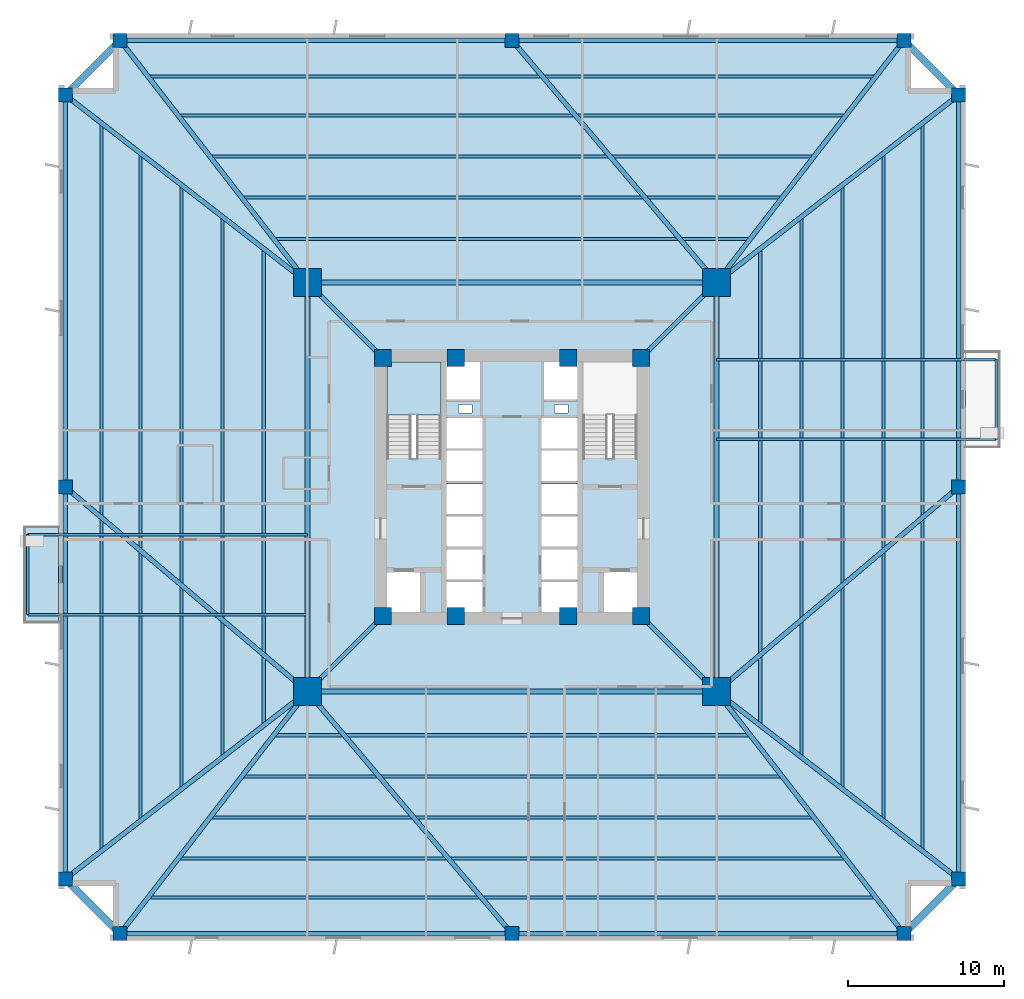
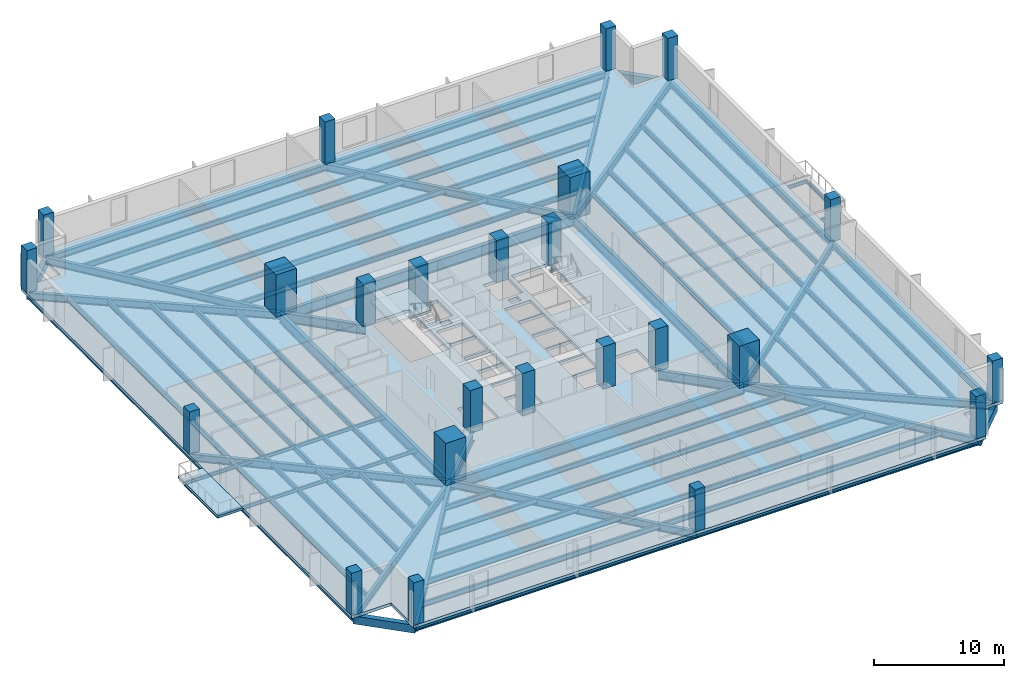
# One storey, part 1 of 9: 58 beams, 24 columns, 3 slabs, 1 element without a shape of its own.
"""IFC4 building model written with IfcOpenShell, lengths in metres."""

from ifc_helpers import new_model, si_unit, direction, frame, origin, origin_2d, place, context, subcontext, project, spatial, polyline, rectangle, i_section, outline, extrude, source, transform, mapped, material, layer, layer_set, material_profile, profile_set, type_object, element, aggregate, save


model = new_model("IFC4")

# Units and contexts
model_context = context("Model", 3, precision=1e-05, world=origin(), true_north=direction((0.0, 1.0)))
body_context = subcontext(model_context, "Body", "Model", "MODEL_VIEW")
ifc_project = project(units=[si_unit("LENGTHUNIT", "METRE"), si_unit("AREAUNIT", "SQUARE_METRE"), si_unit("VOLUMEUNIT", "CUBIC_METRE"), si_unit("PLANEANGLEUNIT", "RADIAN"), si_unit("MASSUNIT", "GRAM", prefix="KILO"), si_unit("THERMODYNAMICTEMPERATUREUNIT", "KELVIN")], contexts=[model_context])

# Site, building, storey
site_placement = place(None, origin())
site = spatial("IfcSite", under=ifc_project, at=site_placement, CompositionType="ELEMENT")
building_placement = place(site_placement, origin())
building = spatial("IfcBuilding", under=site, at=building_placement, Name="Kosmvard Interchange Tower", CompositionType="ELEMENT")
storey_placement = place(building_placement, frame((0.0, 0.0, 70.0)))
storey = spatial("IfcBuildingStorey", under=building, at=storey_placement, Name="L16", CompositionType="ELEMENT", Elevation=70.0)

# Columns
ifc_material_1 = material(Name="Concrete C80/95", Category="concrete")
ifc_material_profile_1 = material_profile(ifc_material_1, rectangle(XDim=1.10009765625, YDim=1.10009765625, at=origin_2d()), Name="CP 1100x1100")
ifc_profile_set_1 = profile_set([ifc_material_profile_1], Name="Concrete C80/95")
column_type_1 = type_object("IfcColumnType", Name="Core Boundary Pilaster 1100x1100 C80/95", PredefinedType="PILASTER", material=ifc_profile_set_1)
shared_shape_1 = source(origin(), body_context, "Body", "SweptSolid", [
    extrude(rectangle(XDim=1.10009765625, YDim=1.10009765625, at=origin_2d()), origin(), (0.0, 0.0, 1.0), 4.0),
])
for number, where, z_axis, x_axis, name in (
    (1, (-8.25, -8.25, 0.0), (0.0, 0.0, 1.0), (1.0, 0.0, 0.0), "L16 Core Pilaster CP1"),
    (2, (8.25, -8.25, 0.0), (0.0, 0.0, 1.0), (1.0, 0.0, 0.0), "L16 Core Pilaster CP2"),
    (3, (8.25, 8.25, 0.0), (0.0, 0.0, 1.0), (1.0, 0.0, 0.0), "L16 Core Pilaster CP3"),
    (4, (-8.25, 8.25, 0.0), (0.0, 0.0, 1.0), (1.0, 0.0, 0.0), "L16 Core Pilaster CP4"),
    (5, (-3.60009765625, -8.25, 0.0), (0.0, 0.0, 1.0), (1.0, 0.0, 0.0), "L16 Core Pilaster CP5"),
    (6, (3.60009765625, -8.25, 0.0), (0.0, 0.0, 1.0), (1.0, 0.0, 0.0), "L16 Core Pilaster CP6"),
    (7, (-3.60009765625, 8.25, 0.0), (0.0, 0.0, 1.0), (1.0, 0.0, 0.0), "L16 Core Pilaster CP7"),
    (8, (3.60009765625, 8.25, 0.0), (0.0, 0.0, 1.0), (1.0, 0.0, 0.0), "L16 Core Pilaster CP8"),
):
    element("IfcColumn", number, at=place(storey_placement, frame(where, z_axis=z_axis, x_axis=x_axis)), inside=storey, type_object=column_type_1, Name=name, PredefinedType="PILASTER", context=body_context, shape_type="MappedRepresentation", body=[
        mapped(shared_shape_1, transform((0.0, 0.0, 0.0), scale=1.0)),
    ])
ifc_material_profile_2 = material_profile(ifc_material_1, rectangle(XDim=1.800048828125, YDim=1.800048828125, at=origin_2d()), Name="MC 1800x1800")
ifc_profile_set_2 = profile_set([ifc_material_profile_2], Name="Concrete C80/95")
column_type_2 = type_object("IfcColumnType", Name="Composite Mega-Column 1800x1800 C80/95", PredefinedType="COLUMN", material=ifc_profile_set_2)
shared_shape_2 = source(origin(), body_context, "Body", "SweptSolid", [
    extrude(rectangle(XDim=1.800048828125, YDim=1.800048828125, at=origin_2d()), origin(), (0.0, 0.0, 1.0), 4.0),
])
for number, where, z_axis, x_axis, name in (
    (9, (-13.0810546875, -13.0810546875, 0.0), (0.0, 0.0, 1.0), (1.0, 0.0, 0.0), "L16 Corner Mega-Column MC1"),
    (10, (13.0810546875, -13.0810546875, 0.0), (0.0, 0.0, 1.0), (1.0, 0.0, 0.0), "L16 Corner Mega-Column MC2"),
    (11, (13.0810546875, 13.0810546875, 0.0), (0.0, 0.0, 1.0), (1.0, 0.0, 0.0), "L16 Corner Mega-Column MC3"),
    (12, (-13.0810546875, 13.0810546875, 0.0), (0.0, 0.0, 1.0), (1.0, 0.0, 0.0), "L16 Corner Mega-Column MC4"),
):
    element("IfcColumn", number, at=place(storey_placement, frame(where, z_axis=z_axis, x_axis=x_axis)), inside=storey, type_object=column_type_2, Name=name, PredefinedType="COLUMN", context=body_context, shape_type="MappedRepresentation", body=[
        mapped(shared_shape_2, transform((0.0, 0.0, 0.0), scale=1.0)),
    ])
ifc_material_2 = material(Name="Concrete C60/75", Category="concrete")
ifc_material_profile_3 = material_profile(ifc_material_2, rectangle(XDim=0.89990234375, YDim=0.89990234375, at=origin_2d()), Name="TC 900x900")
ifc_profile_set_3 = profile_set([ifc_material_profile_3], Name="Concrete C60/75")
column_type_3 = type_object("IfcColumnType", Name="Zone 1 Perimeter Pier Column 900x900 C60/75", PredefinedType="COLUMN", material=ifc_profile_set_3)
shared_shape_3 = source(origin(), body_context, "Body", "SweptSolid", [
    extrude(rectangle(XDim=0.89990234375, YDim=0.89990234375, at=origin_2d()), origin(), (0.0, 0.0, 1.0), 4.0),
])
for number, where, z_axis, x_axis, name in (
    (13, (-25.050048828125, -28.550048828125, 0.0), (0.0, 0.0, 1.0), (1.0, 0.0, 0.0), "L16 Perimeter Pier Column TC-S1"),
    (14, (0.0, -28.550048828125, 0.0), (0.0, 0.0, 1.0), (1.0, 0.0, 0.0), "L16 Perimeter Pier Column TC-S2"),
    (15, (25.050048828125, -28.550048828125, 0.0), (0.0, 0.0, 1.0), (1.0, 0.0, 0.0), "L16 Perimeter Pier Column TC-S3"),
    (16, (28.550048828125, -25.050048828125, 0.0), (0.0, 0.0, 1.0), (1.0, 0.0, 0.0), "L16 Perimeter Pier Column TC-E1"),
    (17, (28.550048828125, 0.0, 0.0), (0.0, 0.0, 1.0), (1.0, 0.0, 0.0), "L16 Perimeter Pier Column TC-E2"),
    (18, (28.550048828125, 25.050048828125, 0.0), (0.0, 0.0, 1.0), (1.0, 0.0, 0.0), "L16 Perimeter Pier Column TC-E3"),
    (19, (25.050048828125, 28.550048828125, 0.0), (0.0, 0.0, 1.0), (1.0, 0.0, 0.0), "L16 Perimeter Pier Column TC-N1"),
    (20, (0.0, 28.550048828125, 0.0), (0.0, 0.0, 1.0), (1.0, 0.0, 0.0), "L16 Perimeter Pier Column TC-N2"),
    (21, (-25.050048828125, 28.550048828125, 0.0), (0.0, 0.0, 1.0), (1.0, 0.0, 0.0), "L16 Perimeter Pier Column TC-N3"),
    (22, (-28.550048828125, 25.050048828125, 0.0), (0.0, 0.0, 1.0), (1.0, 0.0, 0.0), "L16 Perimeter Pier Column TC-W1"),
    (23, (-28.550048828125, 0.0, 0.0), (0.0, 0.0, 1.0), (1.0, 0.0, 0.0), "L16 Perimeter Pier Column TC-W2"),
    (24, (-28.550048828125, -25.050048828125, 0.0), (0.0, 0.0, 1.0), (1.0, 0.0, 0.0), "L16 Perimeter Pier Column TC-W3"),
):
    element("IfcColumn", number, at=place(storey_placement, frame(where, z_axis=z_axis, x_axis=x_axis)), inside=storey, type_object=column_type_3, Name=name, PredefinedType="COLUMN", context=body_context, shape_type="MappedRepresentation", body=[
        mapped(shared_shape_3, transform((0.0, 0.0, 0.0), scale=1.0)),
    ])

# Beams
ifc_material_3 = material(Name="Steel S460", Category="steel")
ifc_material_profile_4 = material_profile(ifc_material_3, i_section(OverallWidth=0.30810546875, OverallDepth=0.909912109375, WebThickness=0.02099609375, FlangeThickness=0.0400390625, FilletRadius=0.027099609375, at=origin_2d()), Name="HEM 900")
ifc_profile_set_4 = profile_set([ifc_material_profile_4], Name="Steel S460")
beam_type_1 = type_object("IfcBeamType", Name="Primary Mega-Frame Girder HEM 900 S460", PredefinedType="BEAM", material=ifc_profile_set_4)
shared_shape_4 = source(origin(), body_context, "Body", "SweptSolid", [
    extrude(i_section(OverallWidth=0.30810546875, OverallDepth=0.909912109375, WebThickness=0.02099609375, FlangeThickness=0.0400390625, FilletRadius=0.027099609375, at=origin_2d()), origin(), (0.0, 0.0, 1.0), 6.83203125),
])
for number, where, z_axis, x_axis, name in (
    (25, (-8.25, -8.25, -0.735107421875), (-0.707106781187, -0.707106781187, 0.0), (0.707106781187, -0.707106781187, 0.0), "L16 Radial Mega-Frame Girder 1"),
    (26, (8.25, -8.25, -0.735107421875), (0.707106781187, -0.707106781187, 0.0), (0.707106781187, 0.707106781187, 0.0), "L16 Radial Mega-Frame Girder 2"),
    (27, (8.25, 8.25, -0.735107421875), (0.707106781187, 0.707106781187, 0.0), (-0.707106781187, 0.707106781187, 0.0), "L16 Radial Mega-Frame Girder 3"),
    (28, (-8.25, 8.25, -0.735107421875), (-0.707106781187, 0.707106781187, 0.0), (-0.707106781187, -0.707106781187, 0.0), "L16 Radial Mega-Frame Girder 4"),
):
    element("IfcBeam", number, at=place(storey_placement, frame(where, z_axis=z_axis, x_axis=x_axis)), inside=storey, type_object=beam_type_1, Name=name, PredefinedType="BEAM", context=body_context, shape_type="MappedRepresentation", body=[
        mapped(shared_shape_4, transform((0.0, 0.0, 0.0), scale=1.0)),
    ])
ifc_material_profile_5 = material_profile(ifc_material_3, i_section(OverallWidth=0.30908203125, OverallDepth=1.008056640625, WebThickness=0.02099609375, FlangeThickness=0.0400390625, FilletRadius=0.030029296875, at=origin_2d()), Name="HEM 1000")
ifc_profile_set_5 = profile_set([ifc_material_profile_5], Name="Steel S460")
beam_type_2 = type_object("IfcBeamType", Name="Mega-Column Ring Girder HEM 1000 S460", PredefinedType="BEAM", material=ifc_profile_set_5)
shared_shape_5 = source(origin(), body_context, "Body", "SweptSolid", [
    extrude(i_section(OverallWidth=0.30908203125, OverallDepth=1.008056640625, WebThickness=0.02099609375, FlangeThickness=0.0400390625, FilletRadius=0.030029296875, at=origin_2d()), origin(), (0.0, 0.0, 1.0), 26.162109375),
])
for number, where, z_axis, x_axis, name in (
    (29, (-13.0810546875, -13.0810546875, -0.783935546875), (1.0, 0.0, 0.0), (0.0, 1.0, 0.0), "L16 Mega-Column Ring Girder 1"),
    (30, (13.0810546875, -13.0810546875, -0.783935546875), (0.0, 1.0, 0.0), (-1.0, 0.0, 0.0), "L16 Mega-Column Ring Girder 2"),
    (31, (13.0810546875, 13.0810546875, -0.783935546875), (-1.0, 0.0, 0.0), (0.0, -1.0, 0.0), "L16 Mega-Column Ring Girder 3"),
    (32, (-13.0810546875, 13.0810546875, -0.783935546875), (0.0, -1.0, 0.0), (1.0, 0.0, 0.0), "L16 Mega-Column Ring Girder 4"),
):
    element("IfcBeam", number, at=place(storey_placement, frame(where, z_axis=z_axis, x_axis=x_axis)), inside=storey, type_object=beam_type_2, Name=name, PredefinedType="BEAM", context=body_context, shape_type="MappedRepresentation", body=[
        mapped(shared_shape_5, transform((0.0, 0.0, 0.0), scale=1.0)),
    ])
ifc_material_4 = material(Name="Steel S355", Category="steel")
ifc_material_profile_6 = material_profile(ifc_material_4, i_section(OverallWidth=0.159912109375, OverallDepth=0.330078125, WebThickness=0.007568359375, FlangeThickness=0.011474609375, FilletRadius=0.01806640625, at=origin_2d()), Name="IPE 330")
ifc_profile_set_6 = profile_set([ifc_material_profile_6], Name="Steel S355")
beam_type_3 = type_object("IfcBeamType", Name="Balcony Cantilever Joist IPE 330 S355", PredefinedType="JOIST", material=ifc_profile_set_6)
shared_shape_6 = source(origin(), body_context, "Body", "SweptSolid", [
    extrude(i_section(OverallWidth=0.159912109375, OverallDepth=0.330078125, WebThickness=0.007568359375, FlangeThickness=0.011474609375, FilletRadius=0.01806640625, at=origin_2d()), origin(), (0.0, 0.0, 1.0), 17.868896484375),
])
for number, where, z_axis, x_axis, name in (
    (33, (13.0810546875, 3.050048828125, -0.445068359375), (1.0, 0.0, 0.0), (0.0, 1.0, 0.0), "BM-L16-BJ1"),
    (34, (13.0810546875, 8.14990234375, -0.445068359375), (1.0, 0.0, 0.0), (0.0, 1.0, 0.0), "BM-L16-BJB1"),
    (35, (-13.0810546875, -3.050048828125, -0.445068359375), (-1.0, 0.0, 0.0), (0.0, -1.0, 0.0), "BM-L16-BJ2"),
    (36, (-13.0810546875, -8.14990234375, -0.445068359375), (-1.0, 0.0, 0.0), (0.0, -1.0, 0.0), "BM-L16-BJB2"),
):
    element("IfcBeam", number, at=place(storey_placement, frame(where, z_axis=z_axis, x_axis=x_axis)), inside=storey, type_object=beam_type_3, Name=name, PredefinedType="JOIST", context=body_context, shape_type="MappedRepresentation", body=[
        mapped(shared_shape_6, transform((0.0, 0.0, 0.0), scale=1.0)),
    ])
ifc_material_profile_7 = material_profile(ifc_material_4, i_section(OverallWidth=0.14990234375, OverallDepth=0.300048828125, WebThickness=0.007080078125, FlangeThickness=0.0107421875, FilletRadius=0.014892578125, at=origin_2d()), Name="IPE 300")
ifc_profile_set_7 = profile_set([ifc_material_profile_7], Name="Steel S355")
beam_type_4 = type_object("IfcBeamType", Name="Balcony Edge Header Joist IPE 300 S355", PredefinedType="JOIST", material=ifc_profile_set_7)
shared_shape_7 = source(origin(), body_context, "Body", "SweptSolid", [
    extrude(i_section(OverallWidth=0.14990234375, OverallDepth=0.300048828125, WebThickness=0.007080078125, FlangeThickness=0.0107421875, FilletRadius=0.014892578125, at=origin_2d()), origin(), (0.0, 0.0, 1.0), 5.099853515625),
])
for number, where, z_axis, x_axis, name in (
    (37, (30.949951171875, 3.050048828125, -0.429931640625), (0.0, 1.0, 0.0), (-1.0, 0.0, 0.0), "BM-L16-BJH1"),
    (38, (-30.949951171875, -3.050048828125, -0.429931640625), (0.0, -1.0, 0.0), (1.0, 0.0, 0.0), "BM-L16-BJH2"),
):
    element("IfcBeam", number, at=place(storey_placement, frame(where, z_axis=z_axis, x_axis=x_axis)), inside=storey, type_object=beam_type_4, Name=name, PredefinedType="JOIST", context=body_context, shape_type="MappedRepresentation", body=[
        mapped(shared_shape_7, transform((0.0, 0.0, 0.0), scale=1.0)),
    ])
ifc_material_profile_8 = material_profile(ifc_material_4, i_section(OverallWidth=0.300048828125, OverallDepth=0.60009765625, WebThickness=0.015380859375, FlangeThickness=0.030029296875, FilletRadius=0.027099609375, at=origin_2d()), Name="HEB 600")
ifc_profile_set_8 = profile_set([ifc_material_profile_8], Name="Steel S355")
beam_type_5 = type_object("IfcBeamType", Name="Perimeter Tie Girder HEB 600 S355", PredefinedType="BEAM", material=ifc_profile_set_8)
shared_shape_8 = source(origin(), body_context, "Body", "SweptSolid", [
    extrude(i_section(OverallWidth=0.300048828125, OverallDepth=0.60009765625, WebThickness=0.015380859375, FlangeThickness=0.030029296875, FilletRadius=0.027099609375, at=origin_2d()), origin(), (0.0, 0.0, 1.0), 25.050048828125),
])
for number, where, z_axis, x_axis, name in (
    (39, (-25.050048828125, -28.550048828125, -0.580078125), (1.0, 0.0, 0.0), (0.0, 1.0, 0.0), "BM-L16-PR01"),
    (40, (0.0, -28.550048828125, -0.580078125), (1.0, 0.0, 0.0), (0.0, 1.0, 0.0), "BM-L16-PR02"),
    (41, (28.550048828125, -25.050048828125, -0.580078125), (0.0, 1.0, 0.0), (-1.0, 0.0, 0.0), "BM-L16-PR04"),
    (42, (28.550048828125, 0.0, -0.580078125), (0.0, 1.0, 0.0), (-1.0, 0.0, 0.0), "BM-L16-PR05"),
    (43, (25.050048828125, 28.550048828125, -0.580078125), (-1.0, 0.0, 0.0), (0.0, -1.0, 0.0), "BM-L16-PR07"),
    (44, (0.0, 28.550048828125, -0.580078125), (-1.0, 0.0, 0.0), (0.0, -1.0, 0.0), "BM-L16-PR08"),
    (45, (-28.550048828125, 25.050048828125, -0.580078125), (0.0, -1.0, 0.0), (1.0, 0.0, 0.0), "BM-L16-PR10"),
    (46, (-28.550048828125, 0.0, -0.580078125), (0.0, -1.0, 0.0), (1.0, 0.0, 0.0), "BM-L16-PR11"),
):
    element("IfcBeam", number, at=place(storey_placement, frame(where, z_axis=z_axis, x_axis=x_axis)), inside=storey, type_object=beam_type_5, Name=name, PredefinedType="BEAM", context=body_context, shape_type="MappedRepresentation", body=[
        mapped(shared_shape_8, transform((0.0, 0.0, 0.0), scale=1.0)),
    ])
ifc_material_profile_9 = material_profile(ifc_material_4, i_section(OverallWidth=0.300048828125, OverallDepth=0.699951171875, WebThickness=0.01708984375, FlangeThickness=0.031982421875, FilletRadius=0.027099609375, at=origin_2d()), Name="HEB 700")
ifc_profile_set_9 = profile_set([ifc_material_profile_9], Name="Steel S355")
beam_type_6 = type_object("IfcBeamType", Name="Primary Floor Girder HEB 700 S355", PredefinedType="BEAM", material=ifc_profile_set_9)
shared_shape_9 = source(origin(), body_context, "Body", "SweptSolid", [
    extrude(i_section(OverallWidth=0.300048828125, OverallDepth=0.699951171875, WebThickness=0.01708984375, FlangeThickness=0.031982421875, FilletRadius=0.027099609375, at=origin_2d()), origin(), (0.0, 0.0, 1.0), 19.558837890625),
])
for number, where, z_axis, x_axis, name in (
    (47, (-13.0810546875, -13.0810546875, -0.6298828125), (-0.611949354357, -0.79089695138, 0.0), (0.79089695138, -0.611949354357, 0.0), "BM-L16-RD01"),
    (48, (13.0810546875, -13.0810546875, -0.6298828125), (0.611949354357, -0.79089695138, 0.0), (0.79089695138, 0.611949354357, 0.0), "BM-L16-RD03"),
    (49, (13.0810546875, -13.0810546875, -0.6298828125), (0.79089695138, -0.611949354357, 0.0), (0.611949354357, 0.79089695138, 0.0), "BM-L16-RD04"),
    (50, (13.0810546875, 13.0810546875, -0.6298828125), (0.79089695138, 0.611949354357, 0.0), (-0.611949354357, 0.79089695138, 0.0), "BM-L16-RD06"),
    (51, (13.0810546875, 13.0810546875, -0.6298828125), (0.611949354357, 0.79089695138, 0.0), (-0.79089695138, 0.611949354357, 0.0), "BM-L16-RD07"),
    (52, (-13.0810546875, 13.0810546875, -0.6298828125), (-0.611949354357, 0.79089695138, 0.0), (-0.79089695138, -0.611949354357, 0.0), "BM-L16-RD09"),
    (53, (-13.0810546875, 13.0810546875, -0.6298828125), (-0.79089695138, 0.611949354357, 0.0), (-0.611949354357, -0.79089695138, 0.0), "BM-L16-RD10"),
    (54, (-13.0810546875, -13.0810546875, -0.6298828125), (-0.79089695138, -0.611949354357, 0.0), (0.611949354357, -0.79089695138, 0.0), "BM-L16-RD12"),
):
    element("IfcBeam", number, at=place(storey_placement, frame(where, z_axis=z_axis, x_axis=x_axis)), inside=storey, type_object=beam_type_6, Name=name, PredefinedType="BEAM", context=body_context, shape_type="MappedRepresentation", body=[
        mapped(shared_shape_9, transform((0.0, 0.0, 0.0), scale=1.0)),
    ])
shared_shape_10 = source(origin(), body_context, "Body", "SweptSolid", [
    extrude(i_section(OverallWidth=0.300048828125, OverallDepth=0.699951171875, WebThickness=0.01708984375, FlangeThickness=0.031982421875, FilletRadius=0.027099609375, at=origin_2d()), origin(), (0.0, 0.0, 1.0), 20.258544921875),
])
for number, where, z_axis, x_axis, name in (
    (55, (-13.0810546875, -13.0810546875, -0.6298828125), (0.645709371734, -0.763583268056, 0.0), (0.763583268056, 0.645709371734, 0.0), "BM-L16-RD02"),
    (56, (13.0810546875, -13.0810546875, -0.6298828125), (0.763583268056, 0.645709371734, 0.0), (-0.645709371734, 0.763583268056, 0.0), "BM-L16-RD05"),
    (57, (13.0810546875, 13.0810546875, -0.6298828125), (-0.645709371734, 0.763583268056, 0.0), (-0.763583268056, -0.645709371734, 0.0), "BM-L16-RD08"),
    (58, (-13.0810546875, -13.0810546875, -0.6298828125), (-0.763583268056, 0.645709371734, 0.0), (-0.645709371734, -0.763583268056, 0.0), "BM-L16-RD11"),
):
    element("IfcBeam", number, at=place(storey_placement, frame(where, z_axis=z_axis, x_axis=x_axis)), inside=storey, type_object=beam_type_6, Name=name, PredefinedType="BEAM", context=body_context, shape_type="MappedRepresentation", body=[
        mapped(shared_shape_10, transform((0.0, 0.0, 0.0), scale=1.0)),
    ])
ifc_material_5 = material(Name="Precast concrete C45/55", Category="concrete")
ifc_material_profile_10 = material_profile(ifc_material_5, rectangle(XDim=0.449951171875, YDim=0.75, at=origin_2d()), Name="SL 450x750")
ifc_profile_set_10 = profile_set([ifc_material_profile_10], Name="Precast concrete C45/55")
beam_type_7 = type_object("IfcBeamType", Name="Precast Spandrel Lintel 450x750 C45/55", PredefinedType="LINTEL", material=ifc_profile_set_10)
shared_shape_11 = source(origin(), body_context, "Body", "SweptSolid", [
    extrude(rectangle(XDim=0.449951171875, YDim=0.75, at=origin_2d()), origin(), (0.0, 0.0, 1.0), 4.94970703125),
])
for number, where, z_axis, x_axis, name in (
    (59, (25.050048828125, -28.550048828125, -0.655029296875), (0.707106781187, 0.707106781187, 0.0), (-0.707106781187, 0.707106781187, 0.0), "BM-L16-SL1"),
    (60, (28.550048828125, 25.050048828125, -0.655029296875), (-0.707106781187, 0.707106781187, 0.0), (-0.707106781187, -0.707106781187, 0.0), "BM-L16-SL2"),
    (61, (-25.050048828125, 28.550048828125, -0.655029296875), (-0.707106781187, -0.707106781187, 0.0), (0.707106781187, -0.707106781187, 0.0), "BM-L16-SL3"),
    (62, (-28.550048828125, -25.050048828125, -0.655029296875), (0.707106781187, -0.707106781187, 0.0), (0.707106781187, 0.707106781187, 0.0), "BM-L16-SL4"),
):
    element("IfcBeam", number, at=place(storey_placement, frame(where, z_axis=z_axis, x_axis=x_axis)), inside=storey, type_object=beam_type_7, Name=name, PredefinedType="LINTEL", context=body_context, shape_type="MappedRepresentation", body=[
        mapped(shared_shape_11, transform((0.0, 0.0, 0.0), scale=1.0)),
    ])
ifc_material_profile_11 = material_profile(ifc_material_4, i_section(OverallWidth=0.199951171875, OverallDepth=0.5, WebThickness=0.01025390625, FlangeThickness=0.01611328125, FilletRadius=0.02099609375, at=origin_2d()), Name="IPE 500")
ifc_profile_set_11 = profile_set([ifc_material_profile_11], Name="Steel S355")
beam_type_8 = type_object("IfcBeamType", Name="Standard Floor Joist IPE 500 S355", PredefinedType="JOIST", material=ifc_profile_set_11)
shared_shape_12 = source(origin(), body_context, "Body", "SweptSolid", [
    extrude(i_section(OverallWidth=0.199951171875, OverallDepth=0.5, WebThickness=0.01025390625, FlangeThickness=0.01611328125, FilletRadius=0.02099609375, at=origin_2d()), origin(), (0.0, 0.0, 1.0), 30.31103515625),
])
for number, where, z_axis, x_axis, name in (
    (63, (-15.155517578125, -15.865478515625, -0.530029296875), (1.0, 0.0, 0.0), (0.0, 1.0, 0.0), "BM-L16-FJ01"),
    (64, (15.865478515625, -15.155517578125, -0.530029296875), (0.0, 1.0, 0.0), (-1.0, 0.0, 0.0), "BM-L16-FJ06"),
    (65, (15.155517578125, 15.865478515625, -0.530029296875), (-1.0, 0.0, 0.0), (0.0, -1.0, 0.0), "BM-L16-FJ11"),
    (66, (-15.865478515625, 15.155517578125, -0.530029296875), (0.0, -1.0, 0.0), (1.0, 0.0, 0.0), "BM-L16-FJ16"),
):
    element("IfcBeam", number, at=place(storey_placement, frame(where, z_axis=z_axis, x_axis=x_axis)), inside=storey, type_object=beam_type_8, Name=name, PredefinedType="JOIST", context=body_context, shape_type="MappedRepresentation", body=[
        mapped(shared_shape_12, transform((0.0, 0.0, 0.0), scale=1.0)),
    ])
shared_shape_13 = source(origin(), body_context, "Body", "SweptSolid", [
    extrude(i_section(OverallWidth=0.199951171875, OverallDepth=0.5, WebThickness=0.01025390625, FlangeThickness=0.01611328125, FilletRadius=0.02099609375, at=origin_2d()), origin(), (0.0, 0.0, 1.0), 34.38037109375),
])
for number, where, z_axis, x_axis, name in (
    (67, (-17.190185546875, -18.4951171875, -0.530029296875), (1.0, 0.0, 0.0), (0.0, 1.0, 0.0), "BM-L16-FJ02"),
    (68, (18.4951171875, -17.190185546875, -0.530029296875), (0.0, 1.0, 0.0), (-1.0, 0.0, 0.0), "BM-L16-FJ07"),
    (69, (17.190185546875, 18.4951171875, -0.530029296875), (-1.0, 0.0, 0.0), (0.0, -1.0, 0.0), "BM-L16-FJ12"),
    (70, (-18.4951171875, 17.190185546875, -0.530029296875), (0.0, -1.0, 0.0), (1.0, 0.0, 0.0), "BM-L16-FJ17"),
):
    element("IfcBeam", number, at=place(storey_placement, frame(where, z_axis=z_axis, x_axis=x_axis)), inside=storey, type_object=beam_type_8, Name=name, PredefinedType="JOIST", context=body_context, shape_type="MappedRepresentation", body=[
        mapped(shared_shape_13, transform((0.0, 0.0, 0.0), scale=1.0)),
    ])
shared_shape_14 = source(origin(), body_context, "Body", "SweptSolid", [
    extrude(i_section(OverallWidth=0.199951171875, OverallDepth=0.5, WebThickness=0.01025390625, FlangeThickness=0.01611328125, FilletRadius=0.02099609375, at=origin_2d()), origin(), (0.0, 0.0, 1.0), 38.44970703125),
])
for number, where, z_axis, x_axis, name in (
    (71, (-19.224853515625, -21.125, -0.530029296875), (1.0, 0.0, 0.0), (0.0, 1.0, 0.0), "BM-L16-FJ03"),
    (72, (21.125, -19.224853515625, -0.530029296875), (0.0, 1.0, 0.0), (-1.0, 0.0, 0.0), "BM-L16-FJ08"),
    (73, (19.224853515625, 21.125, -0.530029296875), (-1.0, 0.0, 0.0), (0.0, -1.0, 0.0), "BM-L16-FJ13"),
    (74, (-21.125, 19.224853515625, -0.530029296875), (0.0, -1.0, 0.0), (1.0, 0.0, 0.0), "BM-L16-FJ18"),
):
    element("IfcBeam", number, at=place(storey_placement, frame(where, z_axis=z_axis, x_axis=x_axis)), inside=storey, type_object=beam_type_8, Name=name, PredefinedType="JOIST", context=body_context, shape_type="MappedRepresentation", body=[
        mapped(shared_shape_14, transform((0.0, 0.0, 0.0), scale=1.0)),
    ])
shared_shape_15 = source(origin(), body_context, "Body", "SweptSolid", [
    extrude(i_section(OverallWidth=0.199951171875, OverallDepth=0.5, WebThickness=0.01025390625, FlangeThickness=0.01611328125, FilletRadius=0.02099609375, at=origin_2d()), origin(), (0.0, 0.0, 1.0), 42.51904296875),
])
for number, where, z_axis, x_axis, name in (
    (75, (-21.259521484375, -23.754638671875, -0.530029296875), (1.0, 0.0, 0.0), (0.0, 1.0, 0.0), "BM-L16-FJ04"),
    (76, (23.754638671875, -21.259521484375, -0.530029296875), (0.0, 1.0, 0.0), (-1.0, 0.0, 0.0), "BM-L16-FJ09"),
    (77, (21.259521484375, 23.754638671875, -0.530029296875), (-1.0, 0.0, 0.0), (0.0, -1.0, 0.0), "BM-L16-FJ14"),
    (78, (-23.754638671875, 21.259521484375, -0.530029296875), (0.0, -1.0, 0.0), (1.0, 0.0, 0.0), "BM-L16-FJ19"),
):
    element("IfcBeam", number, at=place(storey_placement, frame(where, z_axis=z_axis, x_axis=x_axis)), inside=storey, type_object=beam_type_8, Name=name, PredefinedType="JOIST", context=body_context, shape_type="MappedRepresentation", body=[
        mapped(shared_shape_15, transform((0.0, 0.0, 0.0), scale=1.0)),
    ])
shared_shape_16 = source(origin(), body_context, "Body", "SweptSolid", [
    extrude(i_section(OverallWidth=0.199951171875, OverallDepth=0.5, WebThickness=0.01025390625, FlangeThickness=0.01611328125, FilletRadius=0.02099609375, at=origin_2d()), origin(), (0.0, 0.0, 1.0), 46.34912109375),
])
for number, where, z_axis, x_axis, name in (
    (79, (-23.174560546875, -26.229736328125, -0.530029296875), (1.0, 0.0, 0.0), (0.0, 1.0, 0.0), "BM-L16-FJ05"),
    (80, (26.229736328125, -23.174560546875, -0.530029296875), (0.0, 1.0, 0.0), (-1.0, 0.0, 0.0), "BM-L16-FJ10"),
    (81, (23.174560546875, 26.229736328125, -0.530029296875), (-1.0, 0.0, 0.0), (0.0, -1.0, 0.0), "BM-L16-FJ15"),
    (82, (-26.229736328125, 23.174560546875, -0.530029296875), (0.0, -1.0, 0.0), (1.0, 0.0, 0.0), "BM-L16-FJ20"),
):
    element("IfcBeam", number, at=place(storey_placement, frame(where, z_axis=z_axis, x_axis=x_axis)), inside=storey, type_object=beam_type_8, Name=name, PredefinedType="JOIST", context=body_context, shape_type="MappedRepresentation", body=[
        mapped(shared_shape_16, transform((0.0, 0.0, 0.0), scale=1.0)),
    ])

# Slab
ifc_material_6 = material(Name="Concrete C50/60", Category="concrete")
ifc_layer_1 = layer(ifc_material_6, 0.280029296875, Name="Concrete C50/60")
ifc_layer_set_1 = layer_set([ifc_layer_1], Name="Concrete C50/60")
slab_type_1 = type_object("IfcSlabType", Name="Low-Rise Office Composite Slab 280 C50/60", PredefinedType="FLOOR", material=ifc_layer_set_1)
slab_1_placement = place(storey_placement, frame((0.0, 0.0, -0.280029296875)))
element("IfcSlab", 83, at=slab_1_placement, inside=storey, type_object=slab_type_1, Name="L16 Structural Floor Slab", PredefinedType="FLOOR", context=body_context, shape_type="SweptSolid", body=[
    extrude(outline(polyline([(-25.5, -29.0), (25.5, -29.0), (25.5, -25.5), (29.0, -25.5), (29.0, 25.5), (25.5, 25.5), (25.5, 29.0), (-25.5, 29.0), (-25.5, 25.5), (-29.0, 25.5), (-29.0, -25.5), (-25.5, -25.5), (-25.5, -29.0)]), holes=[polyline([(-8.0, 1.8349609375), (-4.5400390625, 1.8349609375), (-4.5400390625, 8.0), (-8.0, 8.0), (-8.0, 1.8349609375)]), polyline([(4.5400390625, 1.8349609375), (8.0, 1.8349609375), (8.0, 8.0), (4.5400390625, 8.0), (4.5400390625, 1.8349609375)]), polyline([(-8.0, -8.0), (-5.800048828125, -8.0), (-5.800048828125, -5.39990234375), (-8.0, -5.39990234375), (-8.0, -8.0)]), polyline([(5.800048828125, -8.0), (8.0, -8.0), (8.0, -5.39990234375), (5.800048828125, -5.39990234375), (5.800048828125, -8.0)]), polyline([(-4.179931640625, -8.0), (-1.8798828125, -8.0), (-1.8798828125, -6.06005859375), (-4.179931640625, -6.06005859375), (-4.179931640625, -8.0)]), polyline([(-4.179931640625, -5.93994140625), (-1.8798828125, -5.93994140625), (-1.8798828125, -4.0), (-4.179931640625, -4.0), (-4.179931640625, -5.93994140625)]), polyline([(1.8798828125, -8.0), (4.179931640625, -8.0), (4.179931640625, -6.06005859375), (1.8798828125, -6.06005859375), (1.8798828125, -8.0)]), polyline([(1.8798828125, -5.93994140625), (4.179931640625, -5.93994140625), (4.179931640625, -4.0), (1.8798828125, -4.0), (1.8798828125, -5.93994140625)]), polyline([(-4.179931640625, -3.800048828125), (-1.8798828125, -3.800048828125), (-1.8798828125, -1.860107421875), (-4.179931640625, -1.860107421875), (-4.179931640625, -3.800048828125)]), polyline([(-4.179931640625, -1.739990234375), (-1.8798828125, -1.739990234375), (-1.8798828125, 0.199951171875), (-4.179931640625, 0.199951171875), (-4.179931640625, -1.739990234375)]), polyline([(1.8798828125, -3.800048828125), (4.179931640625, -3.800048828125), (4.179931640625, -1.860107421875), (1.8798828125, -1.860107421875), (1.8798828125, -3.800048828125)]), polyline([(1.8798828125, -1.739990234375), (4.179931640625, -1.739990234375), (4.179931640625, 0.199951171875), (1.8798828125, 0.199951171875), (1.8798828125, -1.739990234375)]), polyline([(-4.179931640625, 0.39990234375), (-1.8798828125, 0.39990234375), (-1.8798828125, 2.340087890625), (-4.179931640625, 2.340087890625), (-4.179931640625, 0.39990234375)]), polyline([(-4.179931640625, 2.4599609375), (-1.8798828125, 2.4599609375), (-1.8798828125, 4.39990234375), (-4.179931640625, 4.39990234375), (-4.179931640625, 2.4599609375)]), polyline([(1.8798828125, 0.39990234375), (4.179931640625, 0.39990234375), (4.179931640625, 2.340087890625), (1.8798828125, 2.340087890625), (1.8798828125, 0.39990234375)]), polyline([(1.8798828125, 2.4599609375), (4.179931640625, 2.4599609375), (4.179931640625, 4.39990234375), (1.8798828125, 4.39990234375), (1.8798828125, 2.4599609375)]), polyline([(-4.179931640625, 5.60009765625), (-2.0400390625, 5.60009765625), (-2.0400390625, 8.0), (-4.179931640625, 8.0), (-4.179931640625, 5.60009765625)]), polyline([(2.0400390625, 5.60009765625), (4.179931640625, 5.60009765625), (4.179931640625, 8.0), (2.0400390625, 8.0), (2.0400390625, 5.60009765625)]), polyline([(-3.4150390625, 4.739990234375), (-2.56494140625, 4.739990234375), (-2.56494140625, 5.2900390625), (-3.4150390625, 5.2900390625), (-3.4150390625, 4.739990234375)]), polyline([(2.715087890625, 4.739990234375), (3.56494140625, 4.739990234375), (3.56494140625, 5.2900390625), (2.715087890625, 5.2900390625), (2.715087890625, 4.739990234375)])]), origin(), (0.0, 0.0, 1.0), 0.280029296875),
])

# Stair, slab
stair_type = type_object("IfcStairType", Name="Dog-Leg Core Exit Stair H4000 C50/60", PredefinedType="HALF_TURN_STAIR", material=ifc_material_6)
stair_placement = place(storey_placement, origin())
stair = element("IfcStair", 84, at=stair_placement, inside=storey, type_object=stair_type, Name="L16 Protected Exit Stair ST-1", PredefinedType="HALF_TURN_STAIR")
ifc_layer_2 = layer(ifc_material_6, 0.199951171875, Name="Concrete C50/60")
ifc_layer_set_2 = layer_set([ifc_layer_2], Name="Concrete C50/60")
slab_type_2 = type_object("IfcSlabType", Name="Stair Half-Landing Slab 200 C50/60", PredefinedType="LANDING", material=ifc_layer_set_2)
slab_2_placement = place(storey_placement, frame((0.0, 0.0, 1.800048828125)))
slab_2 = element("IfcSlab", 85, at=slab_2_placement, type_object=slab_type_2, Name="ST-1 landing 1", PredefinedType="LANDING", context=body_context, shape_type="SweptSolid", body=[
    extrude(outline(polyline([(-4.5400390625, 4.60009765625), (-4.5400390625, 8.0), (-8.0, 8.0), (-8.0, 4.60009765625), (-4.5400390625, 4.60009765625)])), origin(), (0.0, 0.0, 1.0), 0.199951171875),
])
aggregate(stair, [slab_2])

# Slab
ifc_layer_3 = layer(ifc_material_6, 0.22998046875, Name="Concrete C50/60")
ifc_layer_set_3 = layer_set([ifc_layer_3], Name="Concrete C50/60")
slab_type_3 = type_object("IfcSlabType", Name="Tree-Planter Cantilever Balcony Slab 230 C50/60", PredefinedType="FLOOR", material=ifc_layer_set_3)
slab_3_placement = place(storey_placement, frame((0.0, 0.0, -0.22998046875)))
element("IfcSlab", 86, at=slab_3_placement, inside=storey, type_object=slab_type_3, Name="L16 Outdoor Terrace Balcony Slab BAL-L16-W", PredefinedType="FLOOR", context=body_context, shape_type="SweptSolid", body=[
    extrude(outline(polyline([(-31.199951171875, -8.699951171875), (-29.0, -8.699951171875), (-29.0, -2.5), (-31.199951171875, -2.5), (-31.199951171875, -8.699951171875)])), origin(), (0.0, 0.0, 1.0), 0.22998046875),
])

save(model, "model.ifc")
